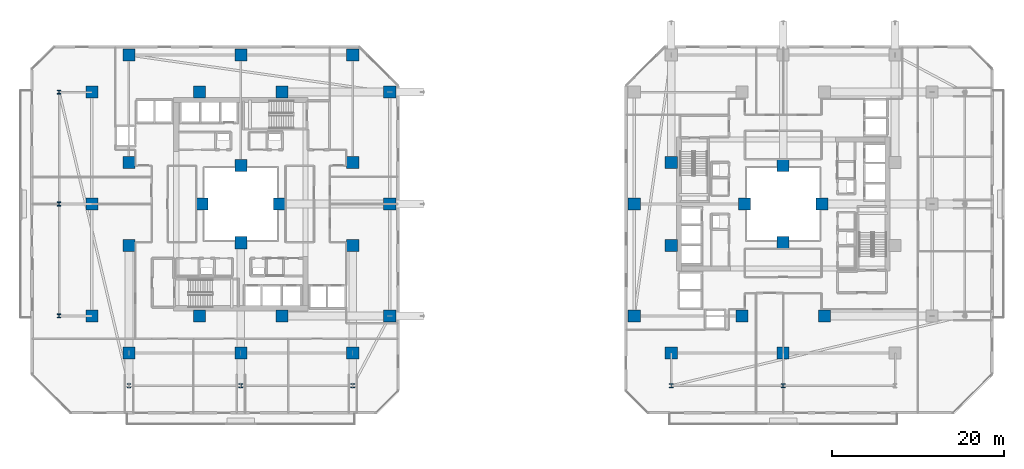
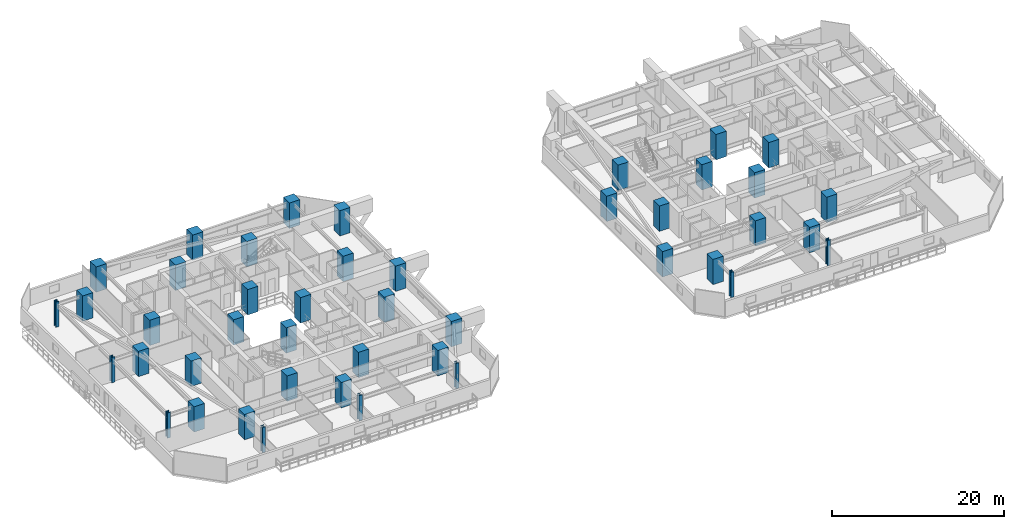
# One storey, part 1 of 36: 44 columns.
"""IFC4 building model written with IfcOpenShell, lengths in metres."""

from ifc_helpers import new_model, si_unit, direction, frame, origin, origin_2d, place, context, subcontext, project, spatial, rectangle, i_section, extrude, material, material_profile, profile_set, type_object, element, save


model = new_model("IFC4")

# Units and contexts
model_context = context("Model", 3, precision=1e-05, world=origin(), true_north=direction((0.0, 1.0)))
body_context = subcontext(model_context, "Body", "Model", "MODEL_VIEW")
ifc_project = project(units=[si_unit("LENGTHUNIT", "METRE"), si_unit("AREAUNIT", "SQUARE_METRE"), si_unit("VOLUMEUNIT", "CUBIC_METRE"), si_unit("PLANEANGLEUNIT", "RADIAN"), si_unit("MASSUNIT", "GRAM", prefix="KILO")], contexts=[model_context])

# Site, building, storey
site_placement = place(None, origin())
site = spatial("IfcSite", under=ifc_project, at=site_placement, CompositionType="ELEMENT")
building_placement = place(site_placement, origin())
building = spatial("IfcBuilding", under=site, at=building_placement, Name="Thornwick Lancets Civic Towers", CompositionType="ELEMENT")
storey_placement = place(building_placement, frame((0.0, 0.0, 45.89990234375)))
storey = spatial("IfcBuildingStorey", under=building, at=storey_placement, Name="L11", CompositionType="ELEMENT", Elevation=45.89990234375)

# Columns
ifc_material_1 = material(Name="Concrete C60/75", Category="concrete")
ifc_material_profile_1 = material_profile(ifc_material_1, rectangle(XDim=1.39990234375, YDim=1.39990234375, at=origin_2d()), Name="RC 1400x1400")
ifc_profile_set_1 = profile_set([ifc_material_profile_1], Name="Concrete C60/75")
column_type_1 = type_object("IfcColumnType", Name="COL_RC_1400", PredefinedType="COLUMN", material=ifc_profile_set_1)
for number, where, z_axis, x_axis, name in (
    (1, (12.5, 9.699951171875, 0.0), (0.0, 0.0, 1.0), (1.0, 0.0, 0.0), "L11 Spine Mega-Column A01"),
    (2, (25.5, 9.699951171875, 0.0), (0.0, 0.0, 1.0), (1.0, 0.0, 0.0), "L11 Spine Mega-Column A02"),
    (3, (38.5, 9.699951171875, 0.0), (0.0, 0.0, 1.0), (1.0, 0.0, 0.0), "L11 Spine Mega-Column A03"),
    (4, (42.800048828125, 14.0, 0.0), (0.0, 0.0, 1.0), (1.0, 0.0, 0.0), "L11 Spine Mega-Column A04"),
    (5, (42.800048828125, 27.0, 0.0), (0.0, 0.0, 1.0), (1.0, 0.0, 0.0), "L11 Spine Mega-Column A05"),
    (6, (42.800048828125, 40.0, 0.0), (0.0, 0.0, 1.0), (1.0, 0.0, 0.0), "L11 Spine Mega-Column A06"),
    (7, (12.5, 44.300048828125, 0.0), (0.0, 0.0, 1.0), (1.0, 0.0, 0.0), "L11 Spine Mega-Column A07"),
    (8, (25.5, 44.300048828125, 0.0), (0.0, 0.0, 1.0), (1.0, 0.0, 0.0), "L11 Spine Mega-Column A08"),
    (9, (38.5, 44.300048828125, 0.0), (0.0, 0.0, 1.0), (1.0, 0.0, 0.0), "L11 Spine Mega-Column A09"),
    (10, (8.199951171875, 14.0, 0.0), (0.0, 0.0, 1.0), (1.0, 0.0, 0.0), "L11 Spine Mega-Column A10"),
    (11, (8.199951171875, 27.0, 0.0), (0.0, 0.0, 1.0), (1.0, 0.0, 0.0), "L11 Spine Mega-Column A11"),
    (12, (8.199951171875, 40.0, 0.0), (0.0, 0.0, 1.0), (1.0, 0.0, 0.0), "L11 Spine Mega-Column A12"),
    (13, (12.5, 22.199951171875, 0.0), (0.0, 0.0, 1.0), (1.0, 0.0, 0.0), "L11 Spine Mega-Column A13"),
    (14, (38.5, 22.199951171875, 0.0), (0.0, 0.0, 1.0), (1.0, 0.0, 0.0), "L11 Spine Mega-Column A14"),
    (15, (12.5, 31.800048828125, 0.0), (0.0, 0.0, 1.0), (1.0, 0.0, 0.0), "L11 Spine Mega-Column A15"),
    (16, (38.5, 31.800048828125, 0.0), (0.0, 0.0, 1.0), (1.0, 0.0, 0.0), "L11 Spine Mega-Column A16"),
    (17, (20.699951171875, 14.0, 0.0), (0.0, 0.0, 1.0), (1.0, 0.0, 0.0), "L11 Spine Mega-Column A17"),
    (18, (30.300048828125, 14.0, 0.0), (0.0, 0.0, 1.0), (1.0, 0.0, 0.0), "L11 Spine Mega-Column A18"),
    (19, (20.699951171875, 40.0, 0.0), (0.0, 0.0, 1.0), (1.0, 0.0, 0.0), "L11 Spine Mega-Column A19"),
    (20, (30.300048828125, 40.0, 0.0), (0.0, 0.0, 1.0), (1.0, 0.0, 0.0), "L11 Spine Mega-Column A20"),
    (21, (25.5, 22.5, 0.0), (0.0, 0.0, 1.0), (1.0, 0.0, 0.0), "L11 Spine Mega-Column A21"),
    (22, (25.5, 31.5, 0.0), (0.0, 0.0, 1.0), (1.0, 0.0, 0.0), "L11 Spine Mega-Column A22"),
    (23, (21.0, 27.0, 0.0), (0.0, 0.0, 1.0), (1.0, 0.0, 0.0), "L11 Spine Mega-Column A23"),
    (24, (30.0, 27.0, 0.0), (0.0, 0.0, 1.0), (1.0, 0.0, 0.0), "L11 Spine Mega-Column A24"),
    (25, (71.199951171875, 14.0, 0.0), (0.0, 0.0, 1.0), (1.0, 0.0, 0.0), "L11 Spine Mega-Column B07"),
    (26, (71.199951171875, 27.0, 0.0), (0.0, 0.0, 1.0), (1.0, 0.0, 0.0), "L11 Spine Mega-Column B08"),
    (27, (88.5, 9.699951171875, 0.0), (0.0, 0.0, 1.0), (1.0, 0.0, 0.0), "L11 Spine Mega-Column B11"),
    (28, (75.5, 9.699951171875, 0.0), (0.0, 0.0, 1.0), (1.0, 0.0, 0.0), "L11 Spine Mega-Column B12"),
    (29, (93.300048828125, 14.0, 0.0), (0.0, 0.0, 1.0), (1.0, 0.0, 0.0), "L11 Spine Mega-Column B13"),
    (30, (83.699951171875, 14.0, 0.0), (0.0, 0.0, 1.0), (1.0, 0.0, 0.0), "L11 Spine Mega-Column B15"),
    (31, (75.5, 22.199951171875, 0.0), (0.0, 0.0, 1.0), (1.0, 0.0, 0.0), "L11 Spine Mega-Column B19"),
    (32, (75.5, 31.800048828125, 0.0), (0.0, 0.0, 1.0), (1.0, 0.0, 0.0), "L11 Spine Mega-Column B20"),
    (33, (93.0, 27.0, 0.0), (0.0, 0.0, 1.0), (1.0, 0.0, 0.0), "L11 Spine Mega-Column B21"),
    (34, (84.0, 27.0, 0.0), (0.0, 0.0, 1.0), (1.0, 0.0, 0.0), "L11 Spine Mega-Column B22"),
    (35, (88.5, 22.5, 0.0), (0.0, 0.0, 1.0), (1.0, 0.0, 0.0), "L11 Spine Mega-Column B23"),
    (36, (88.5, 31.5, 0.0), (0.0, 0.0, 1.0), (1.0, 0.0, 0.0), "L11 Spine Mega-Column B24"),
):
    element("IfcColumn", number, at=place(storey_placement, frame(where, z_axis=z_axis, x_axis=x_axis)), inside=storey, type_object=column_type_1, Name=name, PredefinedType="COLUMN", context=body_context, shape_type="SweptSolid", body=[
        extrude(rectangle(XDim=1.39990234375, YDim=1.39990234375, at=origin_2d()), origin(), (0.0, 0.0, 1.0), 3.60009765625),
    ])
ifc_material_2 = material(Name="Steel S460M", Category="steel")
ifc_material_profile_2 = material_profile(ifc_material_2, i_section(OverallWidth=0.424072265625, OverallDepth=0.474609375, WebThickness=0.047607421875, FlangeThickness=0.076904296875, FilletRadius=0.01513671875, at=origin_2d()), Name="UKC 356x406x634")
ifc_profile_set_2 = profile_set([ifc_material_profile_2], Name="Steel S460M")
column_type_2 = type_object("IfcColumnType", Name="COL_UKC_634", PredefinedType="COLUMN", material=ifc_profile_set_2)
for number, where, z_axis, x_axis, name in (
    (37, (12.5, 5.89990234375, 0.0), (0.0, 0.0, 1.0), (1.0, 0.0, 0.0), "L11 Block Perimeter Column A01"),
    (38, (25.5, 5.89990234375, 0.0), (0.0, 0.0, 1.0), (1.0, 0.0, 0.0), "L11 Block Perimeter Column A02"),
    (39, (38.5, 5.89990234375, 0.0), (0.0, 0.0, 1.0), (1.0, 0.0, 0.0), "L11 Block Perimeter Column A03"),
    (40, (4.39990234375, 14.0, 0.0), (0.0, 0.0, 1.0), (1.0, 0.0, 0.0), "L11 Block Perimeter Column A10"),
    (41, (4.39990234375, 27.0, 0.0), (0.0, 0.0, 1.0), (1.0, 0.0, 0.0), "L11 Block Perimeter Column A11"),
    (42, (4.39990234375, 40.0, 0.0), (0.0, 0.0, 1.0), (1.0, 0.0, 0.0), "L11 Block Perimeter Column A12"),
    (43, (88.5, 5.89990234375, 0.0), (0.0, 0.0, 1.0), (1.0, 0.0, 0.0), "L11 Block Perimeter Column B11"),
    (44, (75.5, 5.89990234375, 0.0), (0.0, 0.0, 1.0), (1.0, 0.0, 0.0), "L11 Block Perimeter Column B12"),
):
    element("IfcColumn", number, at=place(storey_placement, frame(where, z_axis=z_axis, x_axis=x_axis)), inside=storey, type_object=column_type_2, Name=name, PredefinedType="COLUMN", context=body_context, shape_type="SweptSolid", body=[
        extrude(i_section(OverallWidth=0.424072265625, OverallDepth=0.474609375, WebThickness=0.047607421875, FlangeThickness=0.076904296875, FilletRadius=0.01513671875, at=origin_2d()), origin(), (0.0, 0.0, 1.0), 3.60009765625),
    ])

save(model, "model.ifc")
